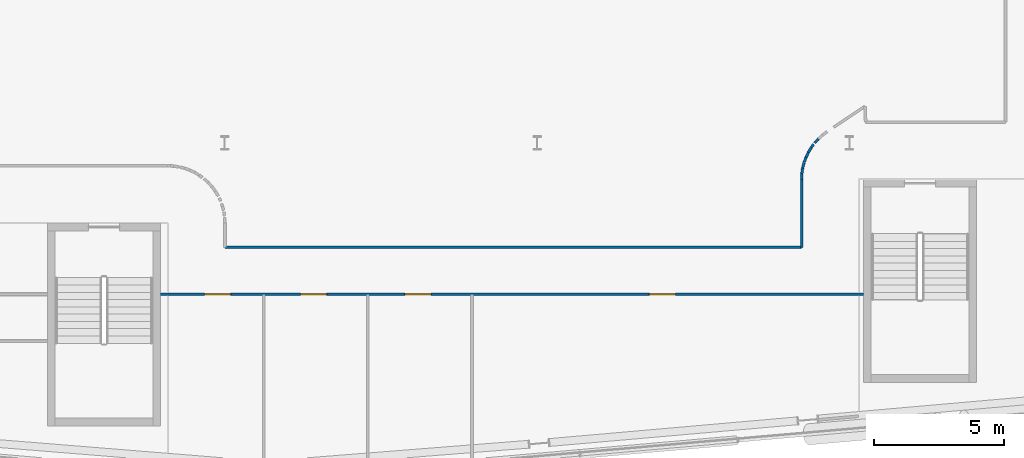
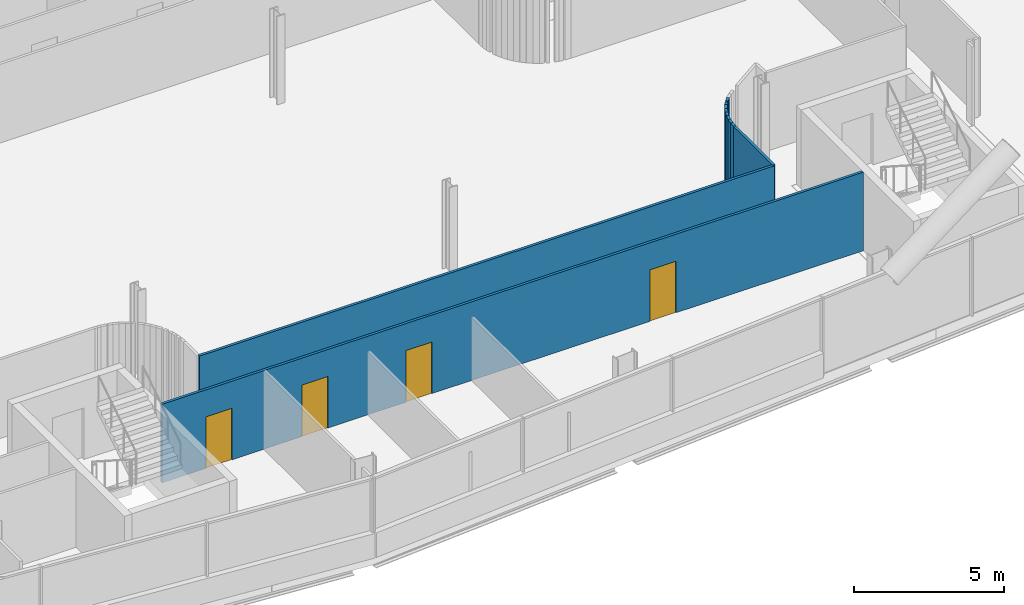
# One storey, part 17 of 30: 11 walls, 4 doors, 4 openings.
"""IFC4 building model written with IfcOpenShell, lengths in metres."""

from ifc_helpers import new_model, si_unit, direction, frame, frame_2d, origin, place, context, subcontext, project, spatial, rectangle, extrude, material, layer, layer_set, type_object, element, fill, save


model = new_model("IFC4")

# Units and contexts
model_context = context("Model", 3, precision=1e-05, world=origin(), true_north=direction((0.0, 1.0)))
body_context = subcontext(model_context, "Body", "Model", "MODEL_VIEW")
ifc_project = project(units=[si_unit("LENGTHUNIT", "METRE"), si_unit("AREAUNIT", "SQUARE_METRE"), si_unit("VOLUMEUNIT", "CUBIC_METRE"), si_unit("PLANEANGLEUNIT", "RADIAN"), si_unit("MASSUNIT", "GRAM", prefix="KILO")], contexts=[model_context])

# Site, building, storey
site_placement = place(None, origin())
site = spatial("IfcSite", under=ifc_project, at=site_placement, CompositionType="ELEMENT")
building_placement = place(site_placement, origin())
building = spatial("IfcBuilding", under=site, at=building_placement, Name="Wharfspan Tower", CompositionType="ELEMENT")
storey_placement = place(building_placement, frame((0.0, 0.0, 100.300049)))
storey = spatial("IfcBuildingStorey", under=building, at=storey_placement, Name="L22", CompositionType="ELEMENT", Elevation=100.300049)

# Wall, openings, doors
ifc_material_1 = material(Name="Gypsum board on steel studs", Category="steel")
ifc_layer = layer(ifc_material_1, 0.100098)
ifc_layer_set = layer_set([ifc_layer], Name="Gypsum board on steel studs")
wall_type = type_object("IfcWallType", Name="Compartment wall 100 EI 60", PredefinedType="PARTITIONING", material=ifc_layer_set)
wall_1_placement = place(storey_placement, frame((45.5354, 5.679932, 0.0), z_axis=(0.0, 0.0, 1.0), x_axis=(1.0, 0.0, 0.0)))
wall_1 = element("IfcWall", 1, at=wall_1_placement, inside=storey, type_object=wall_type, Name="Partition L22.w048", PredefinedType="PARTITIONING", context=body_context, shape_type="SweptSolid", body=[
    extrude(rectangle(XDim=27.005615, YDim=0.100098, at=frame_2d((13.50293, 0.0))), origin(), (0.0, 0.0, 1.0), 3.199951),
])
opening_1_placement = place(wall_1_placement, frame((1.69458, 0.0, 0.0)))
opening_1 = element("IfcOpeningElement", 2, at=opening_1_placement, cuts=wall_1, Name="Opening B2-06", PredefinedType="OPENING", context=body_context, shape_type="SweptSolid", body=[
    extrude(rectangle(XDim=1.0, YDim=2.100098, at=frame_2d((0.5, 1.050049))), frame((0.0, 0.060059, 0.0), z_axis=(0.0, -1.0, 0.0), x_axis=(1.0, 0.0, 0.0)), (0.0, 0.0, 1.0), 0.120117),
])
opening_2_placement = place(wall_1_placement, frame((5.384766, 0.0, 0.0)))
opening_2 = element("IfcOpeningElement", 3, at=opening_2_placement, cuts=wall_1, Name="Opening B2-07", PredefinedType="OPENING", context=body_context, shape_type="SweptSolid", body=[
    extrude(rectangle(XDim=1.0, YDim=2.100098, at=frame_2d((0.5, 1.050049))), frame((0.0, 0.060059, 0.0), z_axis=(0.0, -1.0, 0.0), x_axis=(1.0, 0.0, 0.0)), (0.0, 0.0, 1.0), 0.120117),
])
opening_3_placement = place(wall_1_placement, frame((9.384766, 0.0, 0.0)))
opening_3 = element("IfcOpeningElement", 4, at=opening_3_placement, cuts=wall_1, Name="Opening B2-08", PredefinedType="OPENING", context=body_context, shape_type="SweptSolid", body=[
    extrude(rectangle(XDim=1.0, YDim=2.100098, at=frame_2d((0.5, 1.050049))), frame((0.0, 0.060059, 0.0), z_axis=(0.0, -1.0, 0.0), x_axis=(1.0, 0.0, 0.0)), (0.0, 0.0, 1.0), 0.120117),
])
opening_4_placement = place(wall_1_placement, frame((18.784668, 0.0, 0.0)))
opening_4 = element("IfcOpeningElement", 5, at=opening_4_placement, cuts=wall_1, Name="Opening B2-09", PredefinedType="OPENING", context=body_context, shape_type="SweptSolid", body=[
    extrude(rectangle(XDim=1.0, YDim=2.100098, at=frame_2d((0.5, 1.050049))), frame((0.0, 0.060059, 0.0), z_axis=(0.0, -1.0, 0.0), x_axis=(1.0, 0.0, 0.0)), (0.0, 0.0, 1.0), 0.120117),
])
ifc_material_2 = material(Name="Fire-rated timber door leaf in steel frame", Category="steel")
door_type_1 = type_object("IfcDoorType", Name="Door 1000 FD30S Left", OperationType="SINGLE_SWING_LEFT", PredefinedType="DOOR", material=ifc_material_2)
door_1_placement = place(opening_1_placement, origin())
door_1 = element("IfcDoor", 6, at=door_1_placement, inside=storey, type_object=door_type_1, Name="Door B2-06", OperationType="SINGLE_SWING_LEFT", OverallHeight=2.100098, OverallWidth=1.0, PredefinedType="DOOR", context=body_context, shape_type="SweptSolid", body=[
    extrude(rectangle(XDim=1.0, YDim=2.100098, at=frame_2d((0.5, 1.050049))), frame((0.0, 0.024902, 0.0), z_axis=(0.0, -1.0, 0.0), x_axis=(1.0, 0.0, 0.0)), (0.0, 0.0, 1.0), 0.050049),
])
fill(opening_1, door_1)
door_2_placement = place(opening_2_placement, origin())
door_2 = element("IfcDoor", 7, at=door_2_placement, inside=storey, type_object=door_type_1, Name="Door B2-07", OperationType="SINGLE_SWING_LEFT", OverallHeight=2.100098, OverallWidth=1.0, PredefinedType="DOOR", context=body_context, shape_type="SweptSolid", body=[
    extrude(rectangle(XDim=1.0, YDim=2.100098, at=frame_2d((0.5, 1.050049))), frame((0.0, 0.024902, 0.0), z_axis=(0.0, -1.0, 0.0), x_axis=(1.0, 0.0, 0.0)), (0.0, 0.0, 1.0), 0.050049),
])
fill(opening_2, door_2)
door_3_placement = place(opening_3_placement, origin())
door_3 = element("IfcDoor", 8, at=door_3_placement, inside=storey, type_object=door_type_1, Name="Door B2-08", OperationType="SINGLE_SWING_LEFT", OverallHeight=2.100098, OverallWidth=1.0, PredefinedType="DOOR", context=body_context, shape_type="SweptSolid", body=[
    extrude(rectangle(XDim=1.0, YDim=2.100098, at=frame_2d((0.5, 1.050049))), frame((0.0, 0.024902, 0.0), z_axis=(0.0, -1.0, 0.0), x_axis=(1.0, 0.0, 0.0)), (0.0, 0.0, 1.0), 0.050049),
])
fill(opening_3, door_3)
door_type_2 = type_object("IfcDoorType", Name="Door 1000 FD30S Right", OperationType="SINGLE_SWING_RIGHT", PredefinedType="DOOR", material=ifc_material_2)
door_4_placement = place(opening_4_placement, origin())
door_4 = element("IfcDoor", 9, at=door_4_placement, inside=storey, type_object=door_type_2, Name="Door B2-09", OperationType="SINGLE_SWING_RIGHT", OverallHeight=2.100098, OverallWidth=1.0, PredefinedType="DOOR", context=body_context, shape_type="SweptSolid", body=[
    extrude(rectangle(XDim=1.0, YDim=2.100098, at=frame_2d((0.5, 1.050049))), frame((0.0, 0.024902, 0.0), z_axis=(0.0, -1.0, 0.0), x_axis=(1.0, 0.0, 0.0)), (0.0, 0.0, 1.0), 0.050049),
])
fill(opening_4, door_4)

# Walls
wall_2_placement = place(storey_placement, frame((48.01001, 7.485107, 0.0), z_axis=(0.0, 0.0, 1.0), x_axis=(1.0, 0.0, 0.0)))
element("IfcWall", 10, at=wall_2_placement, inside=storey, type_object=wall_type, Name="Partition L22.w067", PredefinedType="PARTITIONING", context=body_context, shape_type="SweptSolid", body=[
    extrude(rectangle(XDim=22.155029, YDim=0.100098, at=frame_2d((11.077637, 0.0))), origin(), (0.0, 0.0, 1.0), 3.199951),
])
wall_3_placement = place(storey_placement, frame((70.165039, 7.485107, 0.0), z_axis=(0.0, 0.0, 1.0), x_axis=(0.0, 1.0, 0.0)))
element("IfcWall", 11, at=wall_3_placement, inside=storey, type_object=wall_type, Name="Partition L22.w102", PredefinedType="PARTITIONING", context=body_context, shape_type="SweptSolid", body=[
    extrude(rectangle(XDim=2.609863, YDim=0.100098, at=frame_2d((1.304932, 0.0))), origin(), (0.0, 0.0, 1.0), 3.199951),
])
wall_4_placement = place(storey_placement, frame((70.165039, 10.094971, 0.0), z_axis=(0.0, 0.0, 1.0), x_axis=(0.046488, 0.998923, 0.0)))
element("IfcWall", 12, at=wall_4_placement, inside=storey, type_object=wall_type, Name="Partition L22.w103", PredefinedType="PARTITIONING", context=body_context, shape_type="SweptSolid", body=[
    extrude(rectangle(XDim=0.215332, YDim=0.100098, at=frame_2d((0.107666, 0.0))), origin(), (0.0, 0.0, 1.0), 3.199951),
])
wall_5_placement = place(storey_placement, frame((70.175049, 10.310059, 0.0), z_axis=(0.0, 0.0, 1.0), x_axis=(0.138427, 0.990372, 0.0)))
element("IfcWall", 13, at=wall_5_placement, inside=storey, type_object=wall_type, Name="Partition L22.w104", PredefinedType="PARTITIONING", context=body_context, shape_type="SweptSolid", body=[
    extrude(rectangle(XDim=0.217041, YDim=0.100098, at=frame_2d((0.108398, 0.0))), origin(), (0.0, 0.0, 1.0), 3.199951),
])
wall_6_placement = place(storey_placement, frame((70.205078, 10.524902, 0.0), z_axis=(0.0, 0.0, 1.0), x_axis=(0.252833, 0.967508, 0.0)))
element("IfcWall", 14, at=wall_6_placement, inside=storey, type_object=wall_type, Name="Partition L22.w105", PredefinedType="PARTITIONING", context=body_context, shape_type="SweptSolid", body=[
    extrude(rectangle(XDim=0.217285, YDim=0.100098, at=frame_2d((0.108643, 0.0))), origin(), (0.0, 0.0, 1.0), 3.199951),
])
wall_7_placement = place(storey_placement, frame((70.264893, 10.75, 0.0), z_axis=(0.0, 0.0, 1.0), x_axis=(0.354097, 0.935211, 0.0)))
element("IfcWall", 15, at=wall_7_placement, inside=storey, type_object=wall_type, Name="Partition L22.w106", PredefinedType="PARTITIONING", context=body_context, shape_type="SweptSolid", body=[
    extrude(rectangle(XDim=0.197998, YDim=0.100098, at=frame_2d((0.099121, 0.0))), origin(), (0.0, 0.0, 1.0), 3.199951),
])
wall_8_placement = place(storey_placement, frame((70.334961, 10.935059, 0.0), z_axis=(0.0, 0.0, 1.0), x_axis=(0.419707, 0.907659, 0.0)))
element("IfcWall", 16, at=wall_8_placement, inside=storey, type_object=wall_type, Name="Partition L22.w107", PredefinedType="PARTITIONING", context=body_context, shape_type="SweptSolid", body=[
    extrude(rectangle(XDim=0.2146, YDim=0.100098, at=frame_2d((0.107422, 0.0))), origin(), (0.0, 0.0, 1.0), 3.199951),
])
wall_9_placement = place(storey_placement, frame((70.425049, 11.129883, 0.0), z_axis=(0.0, 0.0, 1.0), x_axis=(0.510487, 0.859887, 0.0)))
element("IfcWall", 17, at=wall_9_placement, inside=storey, type_object=wall_type, Name="Partition L22.w108", PredefinedType="PARTITIONING", context=body_context, shape_type="SweptSolid", body=[
    extrude(rectangle(XDim=0.215332, YDim=0.100098, at=frame_2d((0.107666, 0.0))), origin(), (0.0, 0.0, 1.0), 3.199951),
])
wall_10_placement = place(storey_placement, frame((70.534912, 11.320068, 0.0), z_axis=(0.0, 0.0, 1.0), x_axis=(0.620989, 0.783819, 0.0)))
element("IfcWall", 18, at=wall_10_placement, inside=storey, type_object=wall_type, Name="Partition L22.w109", PredefinedType="PARTITIONING", context=body_context, shape_type="SweptSolid", body=[
    extrude(rectangle(XDim=0.152832, YDim=0.100098, at=frame_2d((0.076416, 0.0))), origin(), (0.0, 0.0, 1.0), 3.199951),
])
wall_11_placement = place(storey_placement, frame((70.665039, 11.48999, 0.0), z_axis=(0.0, 0.0, 1.0), x_axis=(0.671775, 0.740762, 0.0)))
element("IfcWall", 19, at=wall_11_placement, inside=storey, type_object=wall_type, Name="Partition L22.w110", PredefinedType="PARTITIONING", context=body_context, shape_type="SweptSolid", body=[
    extrude(rectangle(XDim=0.21582, YDim=0.100098, at=frame_2d((0.10791, 0.0))), origin(), (0.0, 0.0, 1.0), 3.199951),
])

save(model, "model.ifc")
